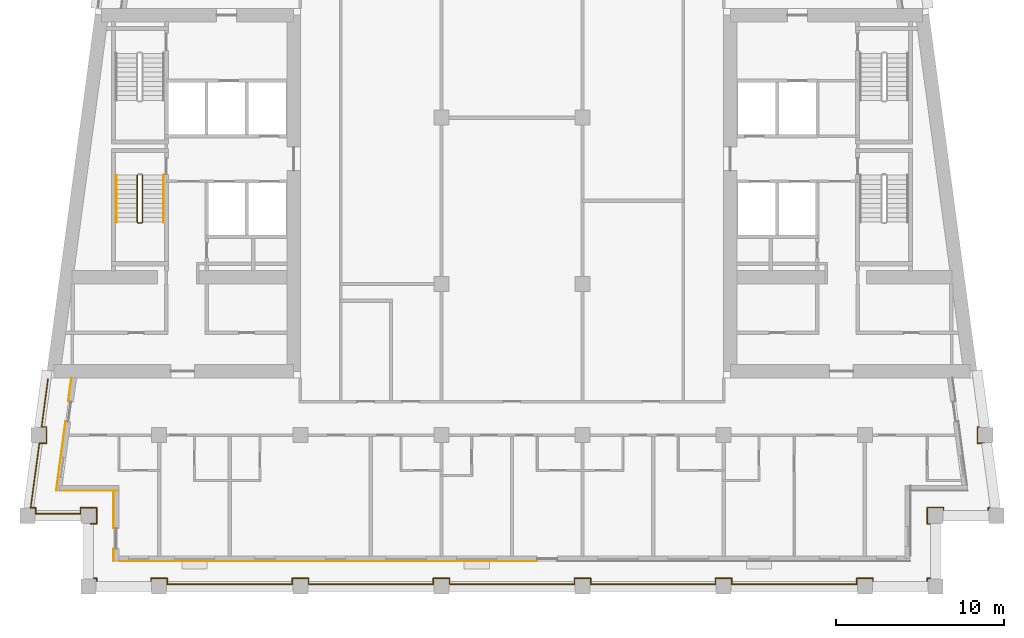
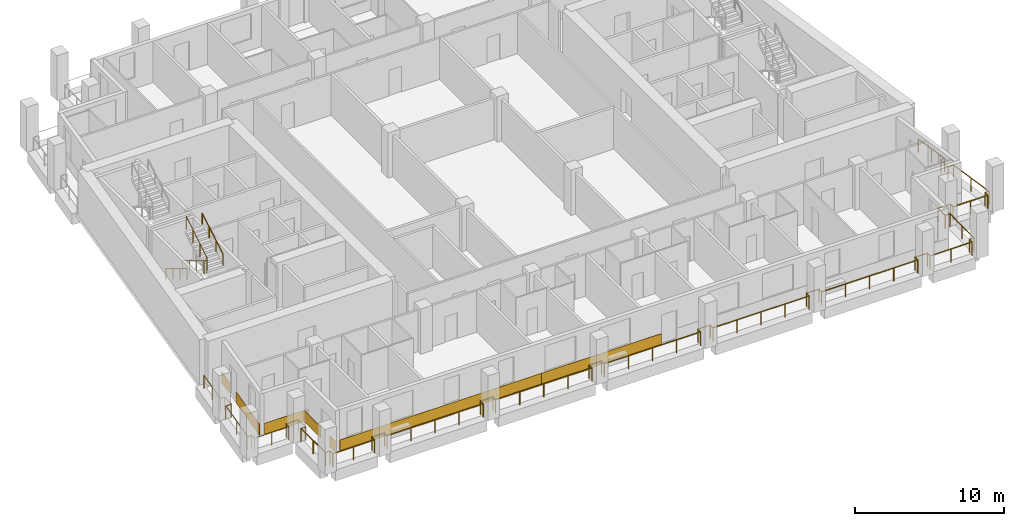
# One storey, part 8 of 12: 7 coverings, 5 railings.
"""IFC4 building model written with IfcOpenShell, lengths in metres."""

from ifc_helpers import new_model, si_unit, direction, frame, origin, origin_2d, place, context, subcontext, project, spatial, rectangle, circle, extrude, material, layer, layer_set, type_object, element, save


model = new_model("IFC4")

# Units and contexts
model_context = context("Model", 3, precision=1e-05, world=origin(), true_north=direction((0.0, 1.0)))
body_context = subcontext(model_context, "Body", "Model", "MODEL_VIEW")
ifc_project = project(units=[si_unit("LENGTHUNIT", "METRE"), si_unit("AREAUNIT", "SQUARE_METRE"), si_unit("VOLUMEUNIT", "CUBIC_METRE"), si_unit("PLANEANGLEUNIT", "RADIAN"), si_unit("MASSUNIT", "GRAM", prefix="KILO")], contexts=[model_context])

# Site, building, storey
site_placement = place(None, origin())
site = spatial("IfcSite", under=ifc_project, at=site_placement, CompositionType="ELEMENT")
building_placement = place(site_placement, origin())
building = spatial("IfcBuilding", under=site, at=building_placement, Name="Candeia Pilgrim Tower and Theatre", CompositionType="ELEMENT")
storey_placement = place(building_placement, frame((0.0, 0.0, 209.60009765625)))
storey = spatial("IfcBuildingStorey", under=building, at=storey_placement, Name="L50", CompositionType="ELEMENT", Elevation=209.60009765625)

# Railings
ifc_material_1 = material(Name="Stainless steel balustrade", Category="steel")
railing_type_1 = type_object("IfcRailingType", Name="G1 loggia guard 1100", PredefinedType="GUARDRAIL", material=ifc_material_1)
railing_1_placement = place(storey_placement, frame((88.320068359375, 101.719970703125, 0.0)))
element("IfcRailing", 1, at=railing_1_placement, inside=storey, type_object=railing_type_1, Name="Guard L50.1", PredefinedType="GUARDRAIL", context=body_context, shape_type="SweptSolid", body=[
    extrude(circle(Radius=0.02392578125, at=origin_2d()), frame((0.0, 0.0, 1.076171875), z_axis=(1.0, 0.0, 0.0), x_axis=(0.0, 1.0, 0.0)), (0.0, 0.0, 1.0), 0.35986328125),
    extrude(circle(Radius=0.02392578125, at=origin_2d()), frame((0.35986328125, 0.0, 1.076171875), z_axis=(0.0, 1.0, 0.0), x_axis=(-1.0, 0.0, 0.0)), (0.0, 0.0, 1.0), 0.9599609375),
    extrude(circle(Radius=0.02392578125, at=origin_2d()), frame((0.35986328125, 0.9599609375, 1.076171875), z_axis=(-1.0, 0.0, 0.0), x_axis=(0.0, -1.0, 0.0)), (0.0, 0.0, 1.0), 0.9599609375),
    extrude(circle(Radius=0.02392578125, at=origin_2d()), frame((-0.60009765625, 0.9599609375, 1.076171875), z_axis=(0.0, -1.0, 0.0), x_axis=(1.0, 0.0, 0.0)), (0.0, 0.0, 1.0), 0.35986328125),
    extrude(circle(Radius=0.02392578125, at=origin_2d()), frame((-0.60009765625, 0.60009765625, 1.076171875), z_axis=(-1.0, 0.0, 0.0), x_axis=(0.0, -1.0, 0.0)), (0.0, 0.0, 1.0), 2.674560546875),
    extrude(circle(Radius=0.02392578125, at=origin_2d()), frame((-3.274658203125, 0.60009765625, 1.076171875), z_axis=(0.0, 1.0, 0.0), x_axis=(-1.0, 0.0, 0.0)), (0.0, 0.0, 1.0), 0.35986328125),
    extrude(circle(Radius=0.02392578125, at=origin_2d()), frame((-3.274658203125, 0.9599609375, 1.076171875), z_axis=(-1.0, 0.0, 0.0), x_axis=(0.0, -1.0, 0.0)), (0.0, 0.0, 1.0), 0.29443359375),
    extrude(circle(Radius=0.02392578125, at=origin_2d()), frame((-3.569091796875, 0.9599609375, 1.076171875), z_axis=(0.133451286285, 0.991055373927, 0.0), x_axis=(-0.991055373927, 0.133451286285, 0.0)), (0.0, 0.0, 1.0), 3.874755859375),
    extrude(circle(Radius=0.02392578125, at=origin_2d()), frame((-3.052001953125, 4.800048828125, 1.076171875), z_axis=(1.0, 0.0, 0.0), x_axis=(0.0, 1.0, 0.0)), (0.0, 0.0, 1.0), 0.423583984375),
    extrude(circle(Radius=0.02392578125, at=origin_2d()), frame((-2.62841796875, 4.800048828125, 1.076171875), z_axis=(0.0, 1.0, 0.0), x_axis=(-1.0, 0.0, 0.0)), (0.0, 0.0, 1.0), 0.9599609375),
    extrude(circle(Radius=0.02392578125, at=origin_2d()), frame((-2.62841796875, 5.760009765625, 1.076171875), z_axis=(-1.0, 0.0, 0.0), x_axis=(0.0, -1.0, 0.0)), (0.0, 0.0, 1.0), 0.29443359375),
    extrude(circle(Radius=0.02392578125, at=origin_2d()), frame((-2.9228515625, 5.760009765625, 1.076171875), z_axis=(0.133450228179, 0.991055516406, 0.0), x_axis=(-0.991055516406, 0.133450228179, 0.0)), (0.0, 0.0, 1.0), 2.89599609375),
    extrude(circle(Radius=0.02099609375, at=origin_2d()), origin(), (0.0, 0.0, 1.0), 1.052001953125),
    extrude(circle(Radius=0.02099609375, at=origin_2d()), frame((0.35986328125, 0.0, 0.0)), (0.0, 0.0, 1.0), 1.052001953125),
    extrude(circle(Radius=0.02099609375, at=origin_2d()), frame((0.35986328125, 0.9599609375, 0.0)), (0.0, 0.0, 1.0), 1.052001953125),
    extrude(circle(Radius=0.02099609375, at=origin_2d()), frame((-0.60009765625, 0.9599609375, 0.0)), (0.0, 0.0, 1.0), 1.052001953125),
    extrude(circle(Radius=0.02099609375, at=origin_2d()), frame((-0.60009765625, 0.60009765625, 0.0)), (0.0, 0.0, 1.0), 1.052001953125),
    extrude(circle(Radius=0.02099609375, at=origin_2d()), frame((-1.9375, 0.60009765625, 0.0)), (0.0, 0.0, 1.0), 1.052001953125),
    extrude(circle(Radius=0.02099609375, at=origin_2d()), frame((-3.274658203125, 0.60009765625, 0.0)), (0.0, 0.0, 1.0), 1.052001953125),
    extrude(circle(Radius=0.02099609375, at=origin_2d()), frame((-3.274658203125, 0.9599609375, 0.0)), (0.0, 0.0, 1.0), 1.052001953125),
    extrude(circle(Radius=0.02099609375, at=origin_2d()), frame((-3.569091796875, 0.9599609375, 0.0)), (0.0, 0.0, 1.0), 1.052001953125),
    extrude(circle(Radius=0.02099609375, at=origin_2d()), frame((-3.310546875, 2.8798828125, 0.0)), (0.0, 0.0, 1.0), 1.052001953125),
    extrude(circle(Radius=0.02099609375, at=origin_2d()), frame((-3.052001953125, 4.800048828125, 0.0)), (0.0, 0.0, 1.0), 1.052001953125),
    extrude(circle(Radius=0.02099609375, at=origin_2d()), frame((-2.62841796875, 4.800048828125, 0.0)), (0.0, 0.0, 1.0), 1.052001953125),
    extrude(circle(Radius=0.02099609375, at=origin_2d()), frame((-2.62841796875, 5.760009765625, 0.0)), (0.0, 0.0, 1.0), 1.052001953125),
    extrude(circle(Radius=0.02099609375, at=origin_2d()), frame((-2.9228515625, 5.760009765625, 0.0)), (0.0, 0.0, 1.0), 1.052001953125),
    extrude(circle(Radius=0.02099609375, at=origin_2d()), frame((-2.7294921875, 7.195068359375, 0.0)), (0.0, 0.0, 1.0), 1.052001953125),
    extrude(circle(Radius=0.02099609375, at=origin_2d()), frame((-2.536376953125, 8.630126953125, 0.0)), (0.0, 0.0, 1.0), 1.052001953125),
])
railing_2_placement = place(storey_placement, frame((141.016357421875, 110.35009765625, 0.0)))
element("IfcRailing", 2, at=railing_2_placement, inside=storey, type_object=railing_type_1, Name="Guard L50.4", PredefinedType="GUARDRAIL", context=body_context, shape_type="SweptSolid", body=[
    extrude(circle(Radius=0.02392578125, at=origin_2d()), frame((0.0, 0.0, 1.076171875), z_axis=(0.133450228179, -0.991055516406, 0.0), x_axis=(0.991055516406, 0.133450228179, 0.0)), (0.0, 0.0, 1.0), 2.89599609375),
    extrude(circle(Radius=0.02392578125, at=origin_2d()), frame((0.386474609375, -2.8701171875, 1.076171875), z_axis=(-1.0, 0.0, 0.0), x_axis=(0.0, -1.0, 0.0)), (0.0, 0.0, 1.0), 0.29443359375),
    extrude(circle(Radius=0.02392578125, at=origin_2d()), frame((0.092041015625, -2.8701171875, 1.076171875), z_axis=(0.0, -1.0, 0.0), x_axis=(1.0, 0.0, 0.0)), (0.0, 0.0, 1.0), 0.9599609375),
    extrude(circle(Radius=0.02392578125, at=origin_2d()), frame((0.092041015625, -3.830078125, 1.076171875), z_axis=(1.0, 0.0, 0.0), x_axis=(0.0, 1.0, 0.0)), (0.0, 0.0, 1.0), 0.423583984375),
    extrude(circle(Radius=0.02392578125, at=origin_2d()), frame((0.515625, -3.830078125, 1.076171875), z_axis=(0.133389399471, -0.991063705374, 0.0), x_axis=(0.991063705374, 0.133389399471, 0.0)), (0.0, 0.0, 1.0), 3.874755859375),
    extrude(circle(Radius=0.02392578125, at=origin_2d()), frame((1.032470703125, -7.670166015625, 1.076171875), z_axis=(-1.0, 0.0, 0.0), x_axis=(0.0, -1.0, 0.0)), (0.0, 0.0, 1.0), 0.294189453125),
    extrude(circle(Radius=0.02392578125, at=origin_2d()), frame((0.73828125, -7.670166015625, 1.076171875), z_axis=(0.0, -1.0, 0.0), x_axis=(1.0, 0.0, 0.0)), (0.0, 0.0, 1.0), 0.35986328125),
    extrude(circle(Radius=0.02392578125, at=origin_2d()), frame((0.73828125, -8.030029296875, 1.076171875), z_axis=(-1.0, 0.0, 0.0), x_axis=(0.0, -1.0, 0.0)), (0.0, 0.0, 1.0), 2.674560546875),
    extrude(circle(Radius=0.02392578125, at=origin_2d()), frame((-1.936279296875, -8.030029296875, 1.076171875), z_axis=(0.0, 1.0, 0.0), x_axis=(-1.0, 0.0, 0.0)), (0.0, 0.0, 1.0), 0.35986328125),
    extrude(circle(Radius=0.02392578125, at=origin_2d()), frame((-1.936279296875, -7.670166015625, 1.076171875), z_axis=(-1.0, 0.0, 0.0), x_axis=(0.0, -1.0, 0.0)), (0.0, 0.0, 1.0), 0.9599609375),
    extrude(circle(Radius=0.02392578125, at=origin_2d()), frame((-2.896240234375, -7.670166015625, 1.076171875), z_axis=(0.0, -1.0, 0.0), x_axis=(1.0, 0.0, 0.0)), (0.0, 0.0, 1.0), 0.9599609375),
    extrude(circle(Radius=0.02392578125, at=origin_2d()), frame((-2.896240234375, -8.630126953125, 1.076171875), z_axis=(1.0, 0.0, 0.0), x_axis=(0.0, 1.0, 0.0)), (0.0, 0.0, 1.0), 0.35986328125),
    extrude(circle(Radius=0.02392578125, at=origin_2d()), frame((-2.536376953125, -8.630126953125, 1.076171875), z_axis=(0.0, -1.0, 0.0), x_axis=(1.0, 0.0, 0.0)), (0.0, 0.0, 1.0), 3.239990234375),
    extrude(circle(Radius=0.02392578125, at=origin_2d()), frame((-2.536376953125, -11.8701171875, 1.076171875), z_axis=(-1.0, 0.0, 0.0), x_axis=(0.0, -1.0, 0.0)), (0.0, 0.0, 1.0), 0.35986328125),
    extrude(circle(Radius=0.02392578125, at=origin_2d()), frame((-2.896240234375, -11.8701171875, 1.076171875), z_axis=(0.0, -1.0, 0.0), x_axis=(1.0, 0.0, 0.0)), (0.0, 0.0, 1.0), 0.35986328125),
    extrude(circle(Radius=0.02392578125, at=origin_2d()), frame((-2.896240234375, -12.22998046875, 1.076171875), z_axis=(-1.0, 0.0, 0.0), x_axis=(0.0, -1.0, 0.0)), (0.0, 0.0, 1.0), 3.240234375),
    extrude(circle(Radius=0.02392578125, at=origin_2d()), frame((-6.136474609375, -12.22998046875, 1.076171875), z_axis=(0.0, 1.0, 0.0), x_axis=(-1.0, 0.0, 0.0)), (0.0, 0.0, 1.0), 0.35986328125),
    extrude(circle(Radius=0.02392578125, at=origin_2d()), frame((-6.136474609375, -11.8701171875, 1.076171875), z_axis=(-1.0, 0.0, 0.0), x_axis=(0.0, -1.0, 0.0)), (0.0, 0.0, 1.0), 0.9599609375),
    extrude(circle(Radius=0.02392578125, at=origin_2d()), frame((-7.096435546875, -11.8701171875, 1.076171875), z_axis=(0.0, -1.0, 0.0), x_axis=(1.0, 0.0, 0.0)), (0.0, 0.0, 1.0), 0.35986328125),
    extrude(circle(Radius=0.02392578125, at=origin_2d()), frame((-7.096435546875, -12.22998046875, 1.076171875), z_axis=(-1.0, 0.0, 0.0), x_axis=(0.0, -1.0, 0.0)), (0.0, 0.0, 1.0), 7.43994140625),
    extrude(circle(Radius=0.02392578125, at=origin_2d()), frame((-14.536376953125, -12.22998046875, 1.076171875), z_axis=(0.0, 1.0, 0.0), x_axis=(-1.0, 0.0, 0.0)), (0.0, 0.0, 1.0), 0.35986328125),
    extrude(circle(Radius=0.02392578125, at=origin_2d()), frame((-14.536376953125, -11.8701171875, 1.076171875), z_axis=(-1.0, 0.0, 0.0), x_axis=(0.0, -1.0, 0.0)), (0.0, 0.0, 1.0), 0.9599609375),
    extrude(circle(Radius=0.02392578125, at=origin_2d()), frame((-15.496337890625, -11.8701171875, 1.076171875), z_axis=(0.0, -1.0, 0.0), x_axis=(1.0, 0.0, 0.0)), (0.0, 0.0, 1.0), 0.35986328125),
    extrude(circle(Radius=0.02392578125, at=origin_2d()), frame((-15.496337890625, -12.22998046875, 1.076171875), z_axis=(-1.0, 0.0, 0.0), x_axis=(0.0, -1.0, 0.0)), (0.0, 0.0, 1.0), 7.43994140625),
    extrude(circle(Radius=0.02392578125, at=origin_2d()), frame((-22.936279296875, -12.22998046875, 1.076171875), z_axis=(0.0, 1.0, 0.0), x_axis=(-1.0, 0.0, 0.0)), (0.0, 0.0, 1.0), 0.35986328125),
    extrude(circle(Radius=0.02392578125, at=origin_2d()), frame((-22.936279296875, -11.8701171875, 1.076171875), z_axis=(-1.0, 0.0, 0.0), x_axis=(0.0, -1.0, 0.0)), (0.0, 0.0, 1.0), 0.9599609375),
    extrude(circle(Radius=0.02392578125, at=origin_2d()), frame((-23.896240234375, -11.8701171875, 1.076171875), z_axis=(0.0, -1.0, 0.0), x_axis=(1.0, 0.0, 0.0)), (0.0, 0.0, 1.0), 0.35986328125),
    extrude(circle(Radius=0.02392578125, at=origin_2d()), frame((-23.896240234375, -12.22998046875, 1.076171875), z_axis=(-1.0, 0.0, 0.0), x_axis=(0.0, -1.0, 0.0)), (0.0, 0.0, 1.0), 7.440185546875),
    extrude(circle(Radius=0.02392578125, at=origin_2d()), frame((-31.33642578125, -12.22998046875, 1.076171875), z_axis=(0.0, 1.0, 0.0), x_axis=(-1.0, 0.0, 0.0)), (0.0, 0.0, 1.0), 0.35986328125),
    extrude(circle(Radius=0.02392578125, at=origin_2d()), frame((-31.33642578125, -11.8701171875, 1.076171875), z_axis=(-1.0, 0.0, 0.0), x_axis=(0.0, -1.0, 0.0)), (0.0, 0.0, 1.0), 0.9599609375),
    extrude(circle(Radius=0.02392578125, at=origin_2d()), frame((-32.29638671875, -11.8701171875, 1.076171875), z_axis=(0.0, -1.0, 0.0), x_axis=(1.0, 0.0, 0.0)), (0.0, 0.0, 1.0), 0.35986328125),
    extrude(circle(Radius=0.02392578125, at=origin_2d()), frame((-32.29638671875, -12.22998046875, 1.076171875), z_axis=(-1.0, 0.0, 0.0), x_axis=(0.0, -1.0, 0.0)), (0.0, 0.0, 1.0), 7.43994140625),
    extrude(circle(Radius=0.02392578125, at=origin_2d()), frame((-39.736328125, -12.22998046875, 1.076171875), z_axis=(0.0, 1.0, 0.0), x_axis=(-1.0, 0.0, 0.0)), (0.0, 0.0, 1.0), 0.35986328125),
    extrude(circle(Radius=0.02392578125, at=origin_2d()), frame((-39.736328125, -11.8701171875, 1.076171875), z_axis=(-1.0, 0.0, 0.0), x_axis=(0.0, -1.0, 0.0)), (0.0, 0.0, 1.0), 0.9599609375),
    extrude(circle(Radius=0.02392578125, at=origin_2d()), frame((-40.6962890625, -11.8701171875, 1.076171875), z_axis=(0.0, -1.0, 0.0), x_axis=(1.0, 0.0, 0.0)), (0.0, 0.0, 1.0), 0.35986328125),
    extrude(circle(Radius=0.02392578125, at=origin_2d()), frame((-40.6962890625, -12.22998046875, 1.076171875), z_axis=(-1.0, 0.0, 0.0), x_axis=(0.0, -1.0, 0.0)), (0.0, 0.0, 1.0), 7.440185546875),
    extrude(circle(Radius=0.02392578125, at=origin_2d()), frame((-48.136474609375, -12.22998046875, 1.076171875), z_axis=(0.0, 1.0, 0.0), x_axis=(-1.0, 0.0, 0.0)), (0.0, 0.0, 1.0), 0.35986328125),
    extrude(circle(Radius=0.02392578125, at=origin_2d()), frame((-48.136474609375, -11.8701171875, 1.076171875), z_axis=(-1.0, 0.0, 0.0), x_axis=(0.0, -1.0, 0.0)), (0.0, 0.0, 1.0), 0.9599609375),
    extrude(circle(Radius=0.02392578125, at=origin_2d()), frame((-49.096435546875, -11.8701171875, 1.076171875), z_axis=(0.0, -1.0, 0.0), x_axis=(1.0, 0.0, 0.0)), (0.0, 0.0, 1.0), 0.35986328125),
    extrude(circle(Radius=0.02392578125, at=origin_2d()), frame((-49.096435546875, -12.22998046875, 1.076171875), z_axis=(-1.0, 0.0, 0.0), x_axis=(0.0, -1.0, 0.0)), (0.0, 0.0, 1.0), 3.239990234375),
    extrude(circle(Radius=0.02392578125, at=origin_2d()), frame((-52.33642578125, -12.22998046875, 1.076171875), z_axis=(0.0, 1.0, 0.0), x_axis=(-1.0, 0.0, 0.0)), (0.0, 0.0, 1.0), 0.35986328125),
    extrude(circle(Radius=0.02392578125, at=origin_2d()), frame((-52.33642578125, -11.8701171875, 1.076171875), z_axis=(-1.0, 0.0, 0.0), x_axis=(0.0, -1.0, 0.0)), (0.0, 0.0, 1.0), 0.35986328125),
    extrude(circle(Radius=0.02392578125, at=origin_2d()), frame((-52.6962890625, -11.8701171875, 1.076171875), z_axis=(0.0, 1.0, 0.0), x_axis=(-1.0, 0.0, 0.0)), (0.0, 0.0, 1.0), 3.239990234375),
    extrude(circle(Radius=0.02099609375, at=origin_2d()), origin(), (0.0, 0.0, 1.0), 1.052001953125),
    extrude(circle(Radius=0.02099609375, at=origin_2d()), frame((0.193359375, -1.43505859375, 0.0)), (0.0, 0.0, 1.0), 1.052001953125),
    extrude(circle(Radius=0.02099609375, at=origin_2d()), frame((0.386474609375, -2.8701171875, 0.0)), (0.0, 0.0, 1.0), 1.052001953125),
    extrude(circle(Radius=0.02099609375, at=origin_2d()), frame((0.092041015625, -2.8701171875, 0.0)), (0.0, 0.0, 1.0), 1.052001953125),
    extrude(circle(Radius=0.02099609375, at=origin_2d()), frame((0.092041015625, -3.830078125, 0.0)), (0.0, 0.0, 1.0), 1.052001953125),
    extrude(circle(Radius=0.02099609375, at=origin_2d()), frame((0.515625, -3.830078125, 0.0)), (0.0, 0.0, 1.0), 1.052001953125),
    extrude(circle(Radius=0.02099609375, at=origin_2d()), frame((0.77392578125, -5.75, 0.0)), (0.0, 0.0, 1.0), 1.052001953125),
    extrude(circle(Radius=0.02099609375, at=origin_2d()), frame((1.032470703125, -7.670166015625, 0.0)), (0.0, 0.0, 1.0), 1.052001953125),
    extrude(circle(Radius=0.02099609375, at=origin_2d()), frame((0.73828125, -7.670166015625, 0.0)), (0.0, 0.0, 1.0), 1.052001953125),
    extrude(circle(Radius=0.02099609375, at=origin_2d()), frame((0.73828125, -8.030029296875, 0.0)), (0.0, 0.0, 1.0), 1.052001953125),
    extrude(circle(Radius=0.02099609375, at=origin_2d()), frame((-0.59912109375, -8.030029296875, 0.0)), (0.0, 0.0, 1.0), 1.052001953125),
    extrude(circle(Radius=0.02099609375, at=origin_2d()), frame((-1.936279296875, -8.030029296875, 0.0)), (0.0, 0.0, 1.0), 1.052001953125),
    extrude(circle(Radius=0.02099609375, at=origin_2d()), frame((-1.936279296875, -7.670166015625, 0.0)), (0.0, 0.0, 1.0), 1.052001953125),
    extrude(circle(Radius=0.02099609375, at=origin_2d()), frame((-2.896240234375, -7.670166015625, 0.0)), (0.0, 0.0, 1.0), 1.052001953125),
    extrude(circle(Radius=0.02099609375, at=origin_2d()), frame((-2.896240234375, -8.630126953125, 0.0)), (0.0, 0.0, 1.0), 1.052001953125),
    extrude(circle(Radius=0.02099609375, at=origin_2d()), frame((-2.536376953125, -8.630126953125, 0.0)), (0.0, 0.0, 1.0), 1.052001953125),
    extrude(circle(Radius=0.02099609375, at=origin_2d()), frame((-2.536376953125, -10.25, 0.0)), (0.0, 0.0, 1.0), 1.052001953125),
    extrude(circle(Radius=0.02099609375, at=origin_2d()), frame((-2.536376953125, -11.8701171875, 0.0)), (0.0, 0.0, 1.0), 1.052001953125),
    extrude(circle(Radius=0.02099609375, at=origin_2d()), frame((-2.896240234375, -11.8701171875, 0.0)), (0.0, 0.0, 1.0), 1.052001953125),
    extrude(circle(Radius=0.02099609375, at=origin_2d()), frame((-2.896240234375, -12.22998046875, 0.0)), (0.0, 0.0, 1.0), 1.052001953125),
    extrude(circle(Radius=0.02099609375, at=origin_2d()), frame((-4.516357421875, -12.22998046875, 0.0)), (0.0, 0.0, 1.0), 1.052001953125),
    extrude(circle(Radius=0.02099609375, at=origin_2d()), frame((-6.136474609375, -12.22998046875, 0.0)), (0.0, 0.0, 1.0), 1.052001953125),
    extrude(circle(Radius=0.02099609375, at=origin_2d()), frame((-6.136474609375, -11.8701171875, 0.0)), (0.0, 0.0, 1.0), 1.052001953125),
    extrude(circle(Radius=0.02099609375, at=origin_2d()), frame((-7.096435546875, -11.8701171875, 0.0)), (0.0, 0.0, 1.0), 1.052001953125),
    extrude(circle(Radius=0.02099609375, at=origin_2d()), frame((-7.096435546875, -12.22998046875, 0.0)), (0.0, 0.0, 1.0), 1.052001953125),
    extrude(circle(Radius=0.02099609375, at=origin_2d()), frame((-8.95654296875, -12.22998046875, 0.0)), (0.0, 0.0, 1.0), 1.052001953125),
    extrude(circle(Radius=0.02099609375, at=origin_2d()), frame((-10.81640625, -12.22998046875, 0.0)), (0.0, 0.0, 1.0), 1.052001953125),
    extrude(circle(Radius=0.02099609375, at=origin_2d()), frame((-12.67626953125, -12.22998046875, 0.0)), (0.0, 0.0, 1.0), 1.052001953125),
    extrude(circle(Radius=0.02099609375, at=origin_2d()), frame((-14.536376953125, -12.22998046875, 0.0)), (0.0, 0.0, 1.0), 1.052001953125),
    extrude(circle(Radius=0.02099609375, at=origin_2d()), frame((-14.536376953125, -11.8701171875, 0.0)), (0.0, 0.0, 1.0), 1.052001953125),
    extrude(circle(Radius=0.02099609375, at=origin_2d()), frame((-15.496337890625, -11.8701171875, 0.0)), (0.0, 0.0, 1.0), 1.052001953125),
    extrude(circle(Radius=0.02099609375, at=origin_2d()), frame((-15.496337890625, -12.22998046875, 0.0)), (0.0, 0.0, 1.0), 1.052001953125),
    extrude(circle(Radius=0.02099609375, at=origin_2d()), frame((-17.3564453125, -12.22998046875, 0.0)), (0.0, 0.0, 1.0), 1.052001953125),
    extrude(circle(Radius=0.02099609375, at=origin_2d()), frame((-19.21630859375, -12.22998046875, 0.0)), (0.0, 0.0, 1.0), 1.052001953125),
    extrude(circle(Radius=0.02099609375, at=origin_2d()), frame((-21.076171875, -12.22998046875, 0.0)), (0.0, 0.0, 1.0), 1.052001953125),
    extrude(circle(Radius=0.02099609375, at=origin_2d()), frame((-22.936279296875, -12.22998046875, 0.0)), (0.0, 0.0, 1.0), 1.052001953125),
    extrude(circle(Radius=0.02099609375, at=origin_2d()), frame((-22.936279296875, -11.8701171875, 0.0)), (0.0, 0.0, 1.0), 1.052001953125),
    extrude(circle(Radius=0.02099609375, at=origin_2d()), frame((-23.896240234375, -11.8701171875, 0.0)), (0.0, 0.0, 1.0), 1.052001953125),
    extrude(circle(Radius=0.02099609375, at=origin_2d()), frame((-23.896240234375, -12.22998046875, 0.0)), (0.0, 0.0, 1.0), 1.052001953125),
    extrude(circle(Radius=0.02099609375, at=origin_2d()), frame((-25.75634765625, -12.22998046875, 0.0)), (0.0, 0.0, 1.0), 1.052001953125),
    extrude(circle(Radius=0.02099609375, at=origin_2d()), frame((-27.6162109375, -12.22998046875, 0.0)), (0.0, 0.0, 1.0), 1.052001953125),
    extrude(circle(Radius=0.02099609375, at=origin_2d()), frame((-29.476318359375, -12.22998046875, 0.0)), (0.0, 0.0, 1.0), 1.052001953125),
    extrude(circle(Radius=0.02099609375, at=origin_2d()), frame((-31.33642578125, -12.22998046875, 0.0)), (0.0, 0.0, 1.0), 1.052001953125),
    extrude(circle(Radius=0.02099609375, at=origin_2d()), frame((-31.33642578125, -11.8701171875, 0.0)), (0.0, 0.0, 1.0), 1.052001953125),
    extrude(circle(Radius=0.02099609375, at=origin_2d()), frame((-32.29638671875, -11.8701171875, 0.0)), (0.0, 0.0, 1.0), 1.052001953125),
    extrude(circle(Radius=0.02099609375, at=origin_2d()), frame((-32.29638671875, -12.22998046875, 0.0)), (0.0, 0.0, 1.0), 1.052001953125),
    extrude(circle(Radius=0.02099609375, at=origin_2d()), frame((-34.15625, -12.22998046875, 0.0)), (0.0, 0.0, 1.0), 1.052001953125),
    extrude(circle(Radius=0.02099609375, at=origin_2d()), frame((-36.016357421875, -12.22998046875, 0.0)), (0.0, 0.0, 1.0), 1.052001953125),
    extrude(circle(Radius=0.02099609375, at=origin_2d()), frame((-37.87646484375, -12.22998046875, 0.0)), (0.0, 0.0, 1.0), 1.052001953125),
    extrude(circle(Radius=0.02099609375, at=origin_2d()), frame((-39.736328125, -12.22998046875, 0.0)), (0.0, 0.0, 1.0), 1.052001953125),
    extrude(circle(Radius=0.02099609375, at=origin_2d()), frame((-39.736328125, -11.8701171875, 0.0)), (0.0, 0.0, 1.0), 1.052001953125),
    extrude(circle(Radius=0.02099609375, at=origin_2d()), frame((-40.6962890625, -11.8701171875, 0.0)), (0.0, 0.0, 1.0), 1.052001953125),
    extrude(circle(Radius=0.02099609375, at=origin_2d()), frame((-40.6962890625, -12.22998046875, 0.0)), (0.0, 0.0, 1.0), 1.052001953125),
    extrude(circle(Radius=0.02099609375, at=origin_2d()), frame((-42.556396484375, -12.22998046875, 0.0)), (0.0, 0.0, 1.0), 1.052001953125),
    extrude(circle(Radius=0.02099609375, at=origin_2d()), frame((-44.41650390625, -12.22998046875, 0.0)), (0.0, 0.0, 1.0), 1.052001953125),
    extrude(circle(Radius=0.02099609375, at=origin_2d()), frame((-46.2763671875, -12.22998046875, 0.0)), (0.0, 0.0, 1.0), 1.052001953125),
    extrude(circle(Radius=0.02099609375, at=origin_2d()), frame((-48.136474609375, -12.22998046875, 0.0)), (0.0, 0.0, 1.0), 1.052001953125),
    extrude(circle(Radius=0.02099609375, at=origin_2d()), frame((-48.136474609375, -11.8701171875, 0.0)), (0.0, 0.0, 1.0), 1.052001953125),
    extrude(circle(Radius=0.02099609375, at=origin_2d()), frame((-49.096435546875, -11.8701171875, 0.0)), (0.0, 0.0, 1.0), 1.052001953125),
    extrude(circle(Radius=0.02099609375, at=origin_2d()), frame((-49.096435546875, -12.22998046875, 0.0)), (0.0, 0.0, 1.0), 1.052001953125),
    extrude(circle(Radius=0.02099609375, at=origin_2d()), frame((-50.71630859375, -12.22998046875, 0.0)), (0.0, 0.0, 1.0), 1.052001953125),
    extrude(circle(Radius=0.02099609375, at=origin_2d()), frame((-52.33642578125, -12.22998046875, 0.0)), (0.0, 0.0, 1.0), 1.052001953125),
    extrude(circle(Radius=0.02099609375, at=origin_2d()), frame((-52.33642578125, -11.8701171875, 0.0)), (0.0, 0.0, 1.0), 1.052001953125),
    extrude(circle(Radius=0.02099609375, at=origin_2d()), frame((-52.6962890625, -11.8701171875, 0.0)), (0.0, 0.0, 1.0), 1.052001953125),
    extrude(circle(Radius=0.02099609375, at=origin_2d()), frame((-52.6962890625, -10.25, 0.0)), (0.0, 0.0, 1.0), 1.052001953125),
    extrude(circle(Radius=0.02099609375, at=origin_2d()), frame((-52.6962890625, -8.630126953125, 0.0)), (0.0, 0.0, 1.0), 1.052001953125),
])

# Coverings
ifc_material_2 = material(Name="Glazed ceramic tile bottle green")
ifc_layer_1 = layer(ifc_material_2, 0.02001953125)
ifc_layer_set_1 = layer_set([ifc_layer_1], Name="Glazed ceramic tile bottle green")
covering_type_1 = type_object("IfcCoveringType", Name="Glazed ceramic tile bottle green", PredefinedType="CLADDING", material=ifc_layer_set_1)
covering_1_placement = place(storey_placement, frame((110.25, 99.489990234375, 0.0), z_axis=(0.0, 0.0, 1.0), x_axis=(1.0, 0.0, 0.0)))
element("IfcCovering", 3, at=covering_1_placement, inside=storey, type_object=covering_type_1, Name="Tile cladding bottle green L50", PredefinedType="CLADDING", context=body_context, shape_type="SweptSolid", body=[
    extrude(rectangle(XDim=9.300048828125, YDim=0.02001953125, at=origin_2d()), origin(), (0.0, 0.0, 1.0), 0.89990234375),
])
ifc_material_3 = material(Name="Glazed ceramic tile rust")
ifc_layer_2 = layer(ifc_material_3, 0.02001953125)
ifc_layer_set_2 = layer_set([ifc_layer_2], Name="Glazed ceramic tile rust")
covering_type_2 = type_object("IfcCoveringType", Name="Glazed ceramic tile rust", PredefinedType="CLADDING", material=ifc_layer_set_2)
covering_2_placement = place(storey_placement, frame((97.81005859375, 99.489990234375, 0.0), z_axis=(0.0, 0.0, 1.0), x_axis=(1.0, 0.0, 0.0)))
element("IfcCovering", 4, at=covering_2_placement, inside=storey, type_object=covering_type_2, Name="Tile cladding rust L50", PredefinedType="CLADDING", context=body_context, shape_type="SweptSolid", body=[
    extrude(rectangle(XDim=15.580078125, YDim=0.02001953125, at=origin_2d()), origin(), (0.0, 0.0, 1.0), 0.89990234375),
])
covering_3_placement = place(storey_placement, frame((87.0810546875, 109.71875, 0.0), z_axis=(0.0, 0.0, 1.0), x_axis=(-0.133412012145, -0.991060661622, 0.0)))
element("IfcCovering", 5, at=covering_3_placement, inside=storey, type_object=covering_type_2, Name="Tile cladding rust L50", PredefinedType="CLADDING", context=body_context, shape_type="SweptSolid", body=[
    extrude(rectangle(XDim=1.41796875, YDim=0.02001953125, at=origin_2d()), origin(), (0.0, 0.0, 1.0), 0.89990234375),
])
covering_4_placement = place(storey_placement, frame((86.548583984375, 105.763916015625, 0.0), z_axis=(0.0, 0.0, 1.0), x_axis=(-0.133412012145, -0.991060661622, 0.0)))
element("IfcCovering", 6, at=covering_4_placement, inside=storey, type_object=covering_type_2, Name="Tile cladding rust L50", PredefinedType="CLADDING", context=body_context, shape_type="SweptSolid", body=[
    extrude(rectangle(XDim=4.16259765625, YDim=0.02001953125, at=origin_2d()), origin(), (0.0, 0.0, 1.0), 0.89990234375),
])
covering_5_placement = place(storey_placement, frame((88.311279296875, 103.68994140625, 0.0), z_axis=(0.0, 0.0, 1.0), x_axis=(1.0, 0.0, 0.0)))
element("IfcCovering", 7, at=covering_5_placement, inside=storey, type_object=covering_type_2, Name="Tile cladding rust L50", PredefinedType="CLADDING", context=body_context, shape_type="SweptSolid", body=[
    extrude(rectangle(XDim=3.377685546875, YDim=0.02001953125, at=origin_2d()), origin(), (0.0, 0.0, 1.0), 0.89990234375),
])
covering_6_placement = place(storey_placement, frame((89.68994140625, 102.56494140625, 0.0), z_axis=(0.0, 0.0, 1.0), x_axis=(0.0, -1.0, 0.0)))
element("IfcCovering", 8, at=covering_6_placement, inside=storey, type_object=covering_type_2, Name="Tile cladding rust L50", PredefinedType="CLADDING", context=body_context, shape_type="SweptSolid", body=[
    extrude(rectangle(XDim=2.22998046875, YDim=0.02001953125, at=origin_2d()), origin(), (0.0, 0.0, 1.0), 0.89990234375),
])
covering_7_placement = place(storey_placement, frame((89.68994140625, 99.875, 0.0), z_axis=(0.0, 0.0, 1.0), x_axis=(0.0, -1.0, 0.0)))
element("IfcCovering", 9, at=covering_7_placement, inside=storey, type_object=covering_type_2, Name="Tile cladding rust L50", PredefinedType="CLADDING", context=body_context, shape_type="SweptSolid", body=[
    extrude(rectangle(XDim=0.75, YDim=0.02001953125, at=origin_2d()), origin(), (0.0, 0.0, 1.0), 0.89990234375),
])

# Railings
railing_type_2 = type_object("IfcRailingType", Name="RL-GUARD-1100", PredefinedType="GUARDRAIL", material=ifc_material_1)
railing_3_placement = place(storey_placement, frame((91.10205078125, 122.47509765625, 0.16796875)))
element("IfcRailing", 10, at=railing_3_placement, inside=storey, type_object=railing_type_2, Name="L50 ST1 stair guard 1", PredefinedType="GUARDRAIL", context=body_context, shape_type="SweptSolid", body=[
    extrude(circle(Radius=0.02392578125, at=origin_2d()), frame((0.0, 0.0, 1.076171875), z_axis=(0.0, -0.857242210791, 0.514913383045), x_axis=(1.0, 0.0, 0.0)), (0.0, 0.0, 1.0), 3.266357421875),
    extrude(circle(Radius=0.02392578125, at=origin_2d()), frame((0.0, -2.800048828125, 2.7578125), z_axis=(0.707106781187, -0.707106781187, 0.0), x_axis=(0.707106781187, 0.707106781187, 0.0)), (0.0, 0.0, 1.0), 0.07080078125),
    extrude(circle(Radius=0.02392578125, at=origin_2d()), frame((0.050048828125, -2.85009765625, 2.7578125), z_axis=(1.0, 0.0, 0.0), x_axis=(0.0, 1.0, 0.0)), (0.0, 0.0, 1.0), 0.199951171875),
    extrude(circle(Radius=0.02392578125, at=origin_2d()), frame((0.25, -2.85009765625, 2.7578125), z_axis=(0.274243871929, 0.274243871929, 0.92172696468), x_axis=(-0.707106781187, 0.707106781187, 0.0)), (0.0, 0.0, 1.0), 0.1826171875),
    extrude(circle(Radius=0.02392578125, at=origin_2d()), frame((0.300048828125, -2.800048828125, 2.92626953125), z_axis=(0.0, 0.857242210791, 0.514913383045), x_axis=(-1.0, 0.0, 0.0)), (0.0, 0.0, 1.0), 3.266357421875),
    extrude(circle(Radius=0.02099609375, at=origin_2d()), origin(), (0.0, 0.0, 1.0), 1.052001953125),
    extrude(circle(Radius=0.02099609375, at=origin_2d()), frame((0.0, -0.933349609375, 0.560546875)), (0.0, 0.0, 1.0), 1.052001953125),
    extrude(circle(Radius=0.02099609375, at=origin_2d()), frame((0.0, -1.86669921875, 1.121337890625)), (0.0, 0.0, 1.0), 1.052001953125),
    extrude(circle(Radius=0.02099609375, at=origin_2d()), frame((0.0, -2.800048828125, 1.681884765625)), (0.0, 0.0, 1.0), 1.052001953125),
    extrude(circle(Radius=0.02099609375, at=origin_2d()), frame((0.050048828125, -2.85009765625, 1.681884765625)), (0.0, 0.0, 1.0), 1.052001953125),
    extrude(circle(Radius=0.02099609375, at=origin_2d()), frame((0.25, -2.85009765625, 1.681884765625)), (0.0, 0.0, 1.0), 1.052001953125),
    extrude(circle(Radius=0.02099609375, at=origin_2d()), frame((0.300048828125, -2.800048828125, 1.85009765625)), (0.0, 0.0, 1.0), 1.052001953125),
    extrude(circle(Radius=0.02099609375, at=origin_2d()), frame((0.300048828125, -1.86669921875, 2.41064453125)), (0.0, 0.0, 1.0), 1.052001953125),
    extrude(circle(Radius=0.02099609375, at=origin_2d()), frame((0.300048828125, -0.933349609375, 2.971435546875)), (0.0, 0.0, 1.0), 1.052001953125),
    extrude(circle(Radius=0.02099609375, at=origin_2d()), frame((0.300048828125, 0.0, 3.531982421875)), (0.0, 0.0, 1.0), 1.052001953125),
])
ifc_material_4 = material(Name="Stainless steel handrail", Category="steel")
railing_type_3 = type_object("IfcRailingType", Name="RL-HANDRAIL-900", PredefinedType="HANDRAIL", material=ifc_material_4)
railing_4_placement = place(storey_placement, frame((89.85205078125, 122.47509765625, 0.16796875)))
element("IfcRailing", 11, at=railing_4_placement, inside=storey, type_object=railing_type_3, Name="L50 ST1 stair handrail 1", PredefinedType="HANDRAIL", context=body_context, shape_type="SweptSolid", body=[
    extrude(circle(Radius=0.02392578125, at=origin_2d()), frame((0.0, 0.0, 0.8759765625), z_axis=(0.0, -0.857242210791, 0.514913383045), x_axis=(1.0, 0.0, 0.0)), (0.0, 0.0, 1.0), 3.266357421875),
    extrude(circle(Radius=0.02099609375, at=origin_2d()), origin(), (0.0, 0.0, 1.0), 0.851806640625),
    extrude(circle(Radius=0.02099609375, at=origin_2d()), frame((0.0, -0.933349609375, 0.560546875)), (0.0, 0.0, 1.0), 0.851806640625),
    extrude(circle(Radius=0.02099609375, at=origin_2d()), frame((0.0, -1.86669921875, 1.121337890625)), (0.0, 0.0, 1.0), 0.851806640625),
    extrude(circle(Radius=0.02099609375, at=origin_2d()), frame((0.0, -2.800048828125, 1.681884765625)), (0.0, 0.0, 1.0), 0.851806640625),
])
railing_5_placement = place(storey_placement, frame((92.652099609375, 119.675048828125, 2.01806640625)))
element("IfcRailing", 12, at=railing_5_placement, inside=storey, type_object=railing_type_3, Name="L50 ST1 stair handrail 2", PredefinedType="HANDRAIL", context=body_context, shape_type="SweptSolid", body=[
    extrude(circle(Radius=0.02392578125, at=origin_2d()), frame((0.0, 0.0, 0.8759765625), z_axis=(0.0, 0.857242210791, 0.514913383045), x_axis=(-1.0, 0.0, 0.0)), (0.0, 0.0, 1.0), 3.266357421875),
    extrude(circle(Radius=0.02099609375, at=origin_2d()), origin(), (0.0, 0.0, 1.0), 0.851806640625),
    extrude(circle(Radius=0.02099609375, at=origin_2d()), frame((0.0, 0.933349609375, 0.560546875)), (0.0, 0.0, 1.0), 0.851806640625),
    extrude(circle(Radius=0.02099609375, at=origin_2d()), frame((0.0, 1.86669921875, 1.121337890625)), (0.0, 0.0, 1.0), 0.851806640625),
    extrude(circle(Radius=0.02099609375, at=origin_2d()), frame((0.0, 2.800048828125, 1.681884765625)), (0.0, 0.0, 1.0), 0.851806640625),
])

save(model, "model.ifc")
